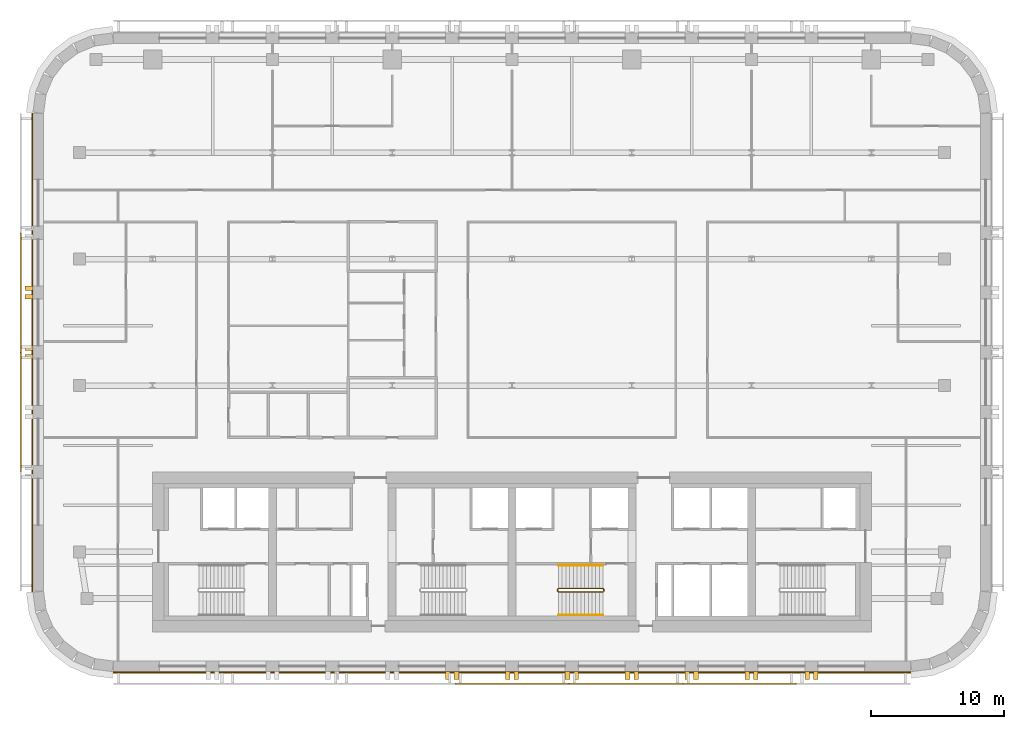
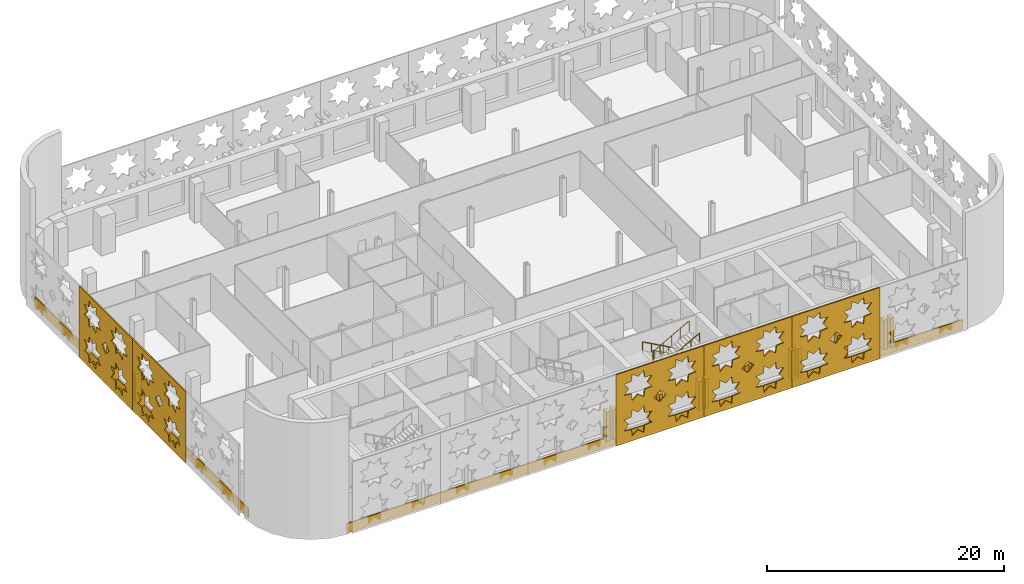
# One storey, part 11 of 14: 25 coverings, 3 railings.
"""IFC4 building model written with IfcOpenShell, lengths in metres."""

from ifc_helpers import new_model, si_unit, direction, frame, origin, origin_2d, place, context, subcontext, project, spatial, polyline, circle, outline, extrude, material, layer, layer_set, type_object, element, save


model = new_model("IFC4")

# Units and contexts
model_context = context("Model", 3, precision=1e-05, world=origin(), true_north=direction((0.0, 1.0)))
body_context = subcontext(model_context, "Body", "Model", "MODEL_VIEW")
ifc_project = project(units=[si_unit("LENGTHUNIT", "METRE"), si_unit("AREAUNIT", "SQUARE_METRE"), si_unit("VOLUMEUNIT", "CUBIC_METRE"), si_unit("PLANEANGLEUNIT", "RADIAN"), si_unit("MASSUNIT", "GRAM", prefix="KILO")], contexts=[model_context])

# Site, building, storey
site_placement = place(None, origin())
site = spatial("IfcSite", under=ifc_project, at=site_placement, CompositionType="ELEMENT")
building_placement = place(site_placement, origin())
building = spatial("IfcBuilding", under=site, at=building_placement, Name="Zellij Exchange Tower", CompositionType="ELEMENT")
storey_placement = place(building_placement, frame((0.0, 0.0, 164.5)))
storey = spatial("IfcBuildingStorey", under=building, at=storey_placement, Name="L37", CompositionType="ELEMENT", Elevation=164.5)

# Railings
ifc_material_1 = material(Name="Stainless steel", Category="steel")
railing_type_1 = type_object("IfcRailingType", Name="CORE-RG stair guard", PredefinedType="GUARDRAIL", material=ifc_material_1)
railing_1_placement = place(storey_placement, frame((6.89990234375, -10.800048828125, 0.0)))
element("IfcRailing", 1, at=railing_1_placement, inside=storey, type_object=railing_type_1, Name="ST3 stair guard L37", PredefinedType="GUARDRAIL", context=body_context, shape_type="SweptSolid", body=[
    extrude(circle(Radius=0.02392578125, at=origin_2d()), frame((0.0, 0.0, 1.076171875), z_axis=(0.0, -1.0, 0.0), x_axis=(1.0, 0.0, 0.0)), (0.0, 0.0, 1.0), 0.14990234375),
    extrude(circle(Radius=0.02392578125, at=origin_2d()), frame((0.0, -0.14990234375, 1.076171875), z_axis=(-0.193691321961, 0.777613689637, 0.598164376644), x_axis=(-0.970351222016, -0.241699205484, 0.0)), (0.0, 0.0, 1.0), 0.257080078125),
    extrude(circle(Radius=0.02392578125, at=origin_2d()), frame((-0.0498046875, 0.050048828125, 1.22998046875), z_axis=(-0.876421534553, 0.0, 0.481544695509), x_axis=(0.0, -1.0, 0.0)), (0.0, 0.0, 1.0), 3.833984375),
    extrude(circle(Radius=0.02392578125, at=origin_2d()), frame((-3.409912109375, 0.050048828125, 3.076171875), z_axis=(-0.707106781187, -0.707106781187, 0.0), x_axis=(0.707106781187, -0.707106781187, 0.0)), (0.0, 0.0, 1.0), 0.07080078125),
    extrude(circle(Radius=0.02392578125, at=origin_2d()), frame((-3.4599609375, 0.0, 3.076171875), z_axis=(0.0, -1.0, 0.0), x_axis=(1.0, 0.0, 0.0)), (0.0, 0.0, 1.0), 0.14990234375),
    extrude(circle(Radius=0.02392578125, at=origin_2d()), frame((-3.4599609375, -0.14990234375, 3.076171875), z_axis=(0.295599637079, -0.295599637079, 0.908428152975), x_axis=(0.707106781187, 0.707106781187, 0.0)), (0.0, 0.0, 1.0), 0.16943359375),
    extrude(circle(Radius=0.02392578125, at=origin_2d()), frame((-3.409912109375, -0.199951171875, 3.22998046875), z_axis=(0.876421534553, 0.0, 0.481544695509), x_axis=(0.0, 1.0, 0.0)), (0.0, 0.0, 1.0), 3.833984375),
    extrude(circle(Radius=0.02099609375, at=origin_2d()), origin(), (0.0, 0.0, 1.0), 1.052001953125),
    extrude(circle(Radius=0.02099609375, at=origin_2d()), frame((0.0, -0.14990234375, 0.0)), (0.0, 0.0, 1.0), 1.052001953125),
    extrude(circle(Radius=0.02099609375, at=origin_2d()), frame((-0.0498046875, 0.050048828125, 0.15380859375)), (0.0, 0.0, 1.0), 1.052001953125),
    extrude(circle(Radius=0.02099609375, at=origin_2d()), frame((-0.889892578125, 0.050048828125, 0.615234375)), (0.0, 0.0, 1.0), 1.052001953125),
    extrude(circle(Radius=0.02099609375, at=origin_2d()), frame((-1.72998046875, 0.050048828125, 1.076904296875)), (0.0, 0.0, 1.0), 1.052001953125),
    extrude(circle(Radius=0.02099609375, at=origin_2d()), frame((-2.56982421875, 0.050048828125, 1.53857421875)), (0.0, 0.0, 1.0), 1.052001953125),
    extrude(circle(Radius=0.02099609375, at=origin_2d()), frame((-3.409912109375, 0.050048828125, 2.0)), (0.0, 0.0, 1.0), 1.052001953125),
    extrude(circle(Radius=0.02099609375, at=origin_2d()), frame((-3.4599609375, 0.0, 2.0)), (0.0, 0.0, 1.0), 1.052001953125),
    extrude(circle(Radius=0.02099609375, at=origin_2d()), frame((-3.4599609375, -0.14990234375, 2.0)), (0.0, 0.0, 1.0), 1.052001953125),
    extrude(circle(Radius=0.02099609375, at=origin_2d()), frame((-3.409912109375, -0.199951171875, 2.15380859375)), (0.0, 0.0, 1.0), 1.052001953125),
    extrude(circle(Radius=0.02099609375, at=origin_2d()), frame((-2.56982421875, -0.199951171875, 2.615234375)), (0.0, 0.0, 1.0), 1.052001953125),
    extrude(circle(Radius=0.02099609375, at=origin_2d()), frame((-1.72998046875, -0.199951171875, 3.076904296875)), (0.0, 0.0, 1.0), 1.052001953125),
    extrude(circle(Radius=0.02099609375, at=origin_2d()), frame((-0.889892578125, -0.199951171875, 3.53857421875)), (0.0, 0.0, 1.0), 1.052001953125),
    extrude(circle(Radius=0.02099609375, at=origin_2d()), frame((-0.0498046875, -0.199951171875, 4.0)), (0.0, 0.0, 1.0), 1.052001953125),
])
railing_type_2 = type_object("IfcRailingType", Name="CORE-RH stair handrail", PredefinedType="HANDRAIL", material=ifc_material_1)
railing_2_placement = place(storey_placement, frame((6.85009765625, -9.0, 0.15380859375)))
element("IfcRailing", 2, at=railing_2_placement, inside=storey, type_object=railing_type_2, Name="ST3 stair handrail L37", PredefinedType="HANDRAIL", context=body_context, shape_type="SweptSolid", body=[
    extrude(circle(Radius=0.02392578125, at=origin_2d()), frame((0.0, 0.0, 0.8759765625), z_axis=(-0.876421534553, 0.0, 0.481544695509), x_axis=(0.0, -1.0, 0.0)), (0.0, 0.0, 1.0), 3.833984375),
    extrude(circle(Radius=0.02099609375, at=origin_2d()), origin(), (0.0, 0.0, 1.0), 0.851806640625),
    extrude(circle(Radius=0.02099609375, at=origin_2d()), frame((-0.840087890625, 0.0, 0.46142578125)), (0.0, 0.0, 1.0), 0.851806640625),
    extrude(circle(Radius=0.02099609375, at=origin_2d()), frame((-1.68017578125, 0.0, 0.923095703125)), (0.0, 0.0, 1.0), 0.851806640625),
    extrude(circle(Radius=0.02099609375, at=origin_2d()), frame((-2.52001953125, 0.0, 1.384765625)), (0.0, 0.0, 1.0), 0.851806640625),
    extrude(circle(Radius=0.02099609375, at=origin_2d()), frame((-3.360107421875, 0.0, 1.84619140625)), (0.0, 0.0, 1.0), 0.851806640625),
])
railing_3_placement = place(storey_placement, frame((3.489990234375, -12.75, 2.15380859375)))
element("IfcRailing", 3, at=railing_3_placement, inside=storey, type_object=railing_type_2, Name="ST3 stair handrail L37", PredefinedType="HANDRAIL", context=body_context, shape_type="SweptSolid", body=[
    extrude(circle(Radius=0.02392578125, at=origin_2d()), frame((0.0, 0.0, 0.8759765625), z_axis=(0.876421534553, 0.0, 0.481544695509), x_axis=(0.0, 1.0, 0.0)), (0.0, 0.0, 1.0), 3.833984375),
    extrude(circle(Radius=0.02099609375, at=origin_2d()), origin(), (0.0, 0.0, 1.0), 0.851806640625),
    extrude(circle(Radius=0.02099609375, at=origin_2d()), frame((0.840087890625, 0.0, 0.46142578125)), (0.0, 0.0, 1.0), 0.851806640625),
    extrude(circle(Radius=0.02099609375, at=origin_2d()), frame((1.68017578125, 0.0, 0.923095703125)), (0.0, 0.0, 1.0), 0.851806640625),
    extrude(circle(Radius=0.02099609375, at=origin_2d()), frame((2.52001953125, 0.0, 1.384765625)), (0.0, 0.0, 1.0), 0.851806640625),
    extrude(circle(Radius=0.02099609375, at=origin_2d()), frame((3.360107421875, 0.0, 1.84619140625)), (0.0, 0.0, 1.0), 0.851806640625),
])

# Coverings
ifc_material_2 = material(Name="Limestone cladding", Category="masonry")
covering_type_1 = type_object("IfcCoveringType", Name="ENV-CV3 Stone pier 350x600", PredefinedType="CLADDING", material=ifc_material_2)
covering_1_placement = place(storey_placement, frame((0.0, 0.0, 0.800048828125)))
element("IfcCovering", 4, at=covering_1_placement, inside=storey, type_object=covering_type_1, Name="Stone pier", PredefinedType="CLADDING", context=body_context, shape_type="SweptSolid", body=[
    extrude(outline(polyline([(-5.0, -17.0), (-4.64990234375, -17.0), (-4.64990234375, -17.60009765625), (-5.0, -17.60009765625), (-5.0, -17.0)])), origin(), (0.0, 0.0, 1.0), 3.0),
])
covering_2_placement = place(storey_placement, frame((0.0, 0.0, 0.800048828125)))
element("IfcCovering", 5, at=covering_2_placement, inside=storey, type_object=covering_type_1, Name="Stone pier", PredefinedType="CLADDING", context=body_context, shape_type="SweptSolid", body=[
    extrude(outline(polyline([(-4.35009765625, -17.0), (-4.0, -17.0), (-4.0, -17.60009765625), (-4.35009765625, -17.60009765625), (-4.35009765625, -17.0)])), origin(), (0.0, 0.0, 1.0), 3.0),
])
covering_3_placement = place(storey_placement, frame((0.0, 0.0, 0.800048828125)))
element("IfcCovering", 6, at=covering_3_placement, inside=storey, type_object=covering_type_1, Name="Stone pier", PredefinedType="CLADDING", context=body_context, shape_type="SweptSolid", body=[
    extrude(outline(polyline([(-0.5, -17.0), (-0.14990234375, -17.0), (-0.14990234375, -17.60009765625), (-0.5, -17.60009765625), (-0.5, -17.0)])), origin(), (0.0, 0.0, 1.0), 3.0),
])
covering_4_placement = place(storey_placement, frame((0.0, 0.0, 0.800048828125)))
element("IfcCovering", 7, at=covering_4_placement, inside=storey, type_object=covering_type_1, Name="Stone pier", PredefinedType="CLADDING", context=body_context, shape_type="SweptSolid", body=[
    extrude(outline(polyline([(0.14990234375, -17.0), (0.5, -17.0), (0.5, -17.60009765625), (0.14990234375, -17.60009765625), (0.14990234375, -17.0)])), origin(), (0.0, 0.0, 1.0), 3.0),
])
covering_5_placement = place(storey_placement, frame((0.0, 0.0, 0.800048828125)))
element("IfcCovering", 8, at=covering_5_placement, inside=storey, type_object=covering_type_1, Name="Stone pier", PredefinedType="CLADDING", context=body_context, shape_type="SweptSolid", body=[
    extrude(outline(polyline([(4.0, -17.0), (4.35009765625, -17.0), (4.35009765625, -17.60009765625), (4.0, -17.60009765625), (4.0, -17.0)])), origin(), (0.0, 0.0, 1.0), 3.0),
])
covering_6_placement = place(storey_placement, frame((0.0, 0.0, 0.800048828125)))
element("IfcCovering", 9, at=covering_6_placement, inside=storey, type_object=covering_type_1, Name="Stone pier", PredefinedType="CLADDING", context=body_context, shape_type="SweptSolid", body=[
    extrude(outline(polyline([(4.64990234375, -17.0), (5.0, -17.0), (5.0, -17.60009765625), (4.64990234375, -17.60009765625), (4.64990234375, -17.0)])), origin(), (0.0, 0.0, 1.0), 3.0),
])
covering_7_placement = place(storey_placement, frame((0.0, 0.0, 0.800048828125)))
element("IfcCovering", 10, at=covering_7_placement, inside=storey, type_object=covering_type_1, Name="Stone pier", PredefinedType="CLADDING", context=body_context, shape_type="SweptSolid", body=[
    extrude(outline(polyline([(8.5, -17.0), (8.85009765625, -17.0), (8.85009765625, -17.60009765625), (8.5, -17.60009765625), (8.5, -17.0)])), origin(), (0.0, 0.0, 1.0), 3.0),
])
covering_8_placement = place(storey_placement, frame((0.0, 0.0, 0.800048828125)))
element("IfcCovering", 11, at=covering_8_placement, inside=storey, type_object=covering_type_1, Name="Stone pier", PredefinedType="CLADDING", context=body_context, shape_type="SweptSolid", body=[
    extrude(outline(polyline([(9.14990234375, -17.0), (9.5, -17.0), (9.5, -17.60009765625), (9.14990234375, -17.60009765625), (9.14990234375, -17.0)])), origin(), (0.0, 0.0, 1.0), 3.0),
])
covering_9_placement = place(storey_placement, frame((0.0, 0.0, 0.800048828125)))
element("IfcCovering", 12, at=covering_9_placement, inside=storey, type_object=covering_type_1, Name="Stone pier", PredefinedType="CLADDING", context=body_context, shape_type="SweptSolid", body=[
    extrude(outline(polyline([(13.0, -17.0), (13.35009765625, -17.0), (13.35009765625, -17.60009765625), (13.0, -17.60009765625), (13.0, -17.0)])), origin(), (0.0, 0.0, 1.0), 3.0),
])
covering_10_placement = place(storey_placement, frame((0.0, 0.0, 0.800048828125)))
element("IfcCovering", 13, at=covering_10_placement, inside=storey, type_object=covering_type_1, Name="Stone pier", PredefinedType="CLADDING", context=body_context, shape_type="SweptSolid", body=[
    extrude(outline(polyline([(13.64990234375, -17.0), (14.0, -17.0), (14.0, -17.60009765625), (13.64990234375, -17.60009765625), (13.64990234375, -17.0)])), origin(), (0.0, 0.0, 1.0), 3.0),
])
covering_11_placement = place(storey_placement, frame((0.0, 0.0, 0.800048828125)))
element("IfcCovering", 14, at=covering_11_placement, inside=storey, type_object=covering_type_1, Name="Stone pier", PredefinedType="CLADDING", context=body_context, shape_type="SweptSolid", body=[
    extrude(outline(polyline([(17.5, -17.0), (17.85009765625, -17.0), (17.85009765625, -17.60009765625), (17.5, -17.60009765625), (17.5, -17.0)])), origin(), (0.0, 0.0, 1.0), 3.0),
])
covering_12_placement = place(storey_placement, frame((0.0, 0.0, 0.800048828125)))
element("IfcCovering", 15, at=covering_12_placement, inside=storey, type_object=covering_type_1, Name="Stone pier", PredefinedType="CLADDING", context=body_context, shape_type="SweptSolid", body=[
    extrude(outline(polyline([(18.14990234375, -17.0), (18.5, -17.0), (18.5, -17.60009765625), (18.14990234375, -17.60009765625), (18.14990234375, -17.0)])), origin(), (0.0, 0.0, 1.0), 3.0),
])
covering_13_placement = place(storey_placement, frame((0.0, 0.0, 0.800048828125)))
element("IfcCovering", 16, at=covering_13_placement, inside=storey, type_object=covering_type_1, Name="Stone pier", PredefinedType="CLADDING", context=body_context, shape_type="SweptSolid", body=[
    extrude(outline(polyline([(22.0, -17.0), (22.35009765625, -17.0), (22.35009765625, -17.60009765625), (22.0, -17.60009765625), (22.0, -17.0)])), origin(), (0.0, 0.0, 1.0), 3.0),
])
covering_14_placement = place(storey_placement, frame((0.0, 0.0, 0.800048828125)))
element("IfcCovering", 17, at=covering_14_placement, inside=storey, type_object=covering_type_1, Name="Stone pier", PredefinedType="CLADDING", context=body_context, shape_type="SweptSolid", body=[
    extrude(outline(polyline([(22.64990234375, -17.0), (23.0, -17.0), (23.0, -17.60009765625), (22.64990234375, -17.60009765625), (22.64990234375, -17.0)])), origin(), (0.0, 0.0, 1.0), 3.0),
])
covering_15_placement = place(storey_placement, frame((0.0, 0.0, 0.800048828125)))
element("IfcCovering", 18, at=covering_15_placement, inside=storey, type_object=covering_type_1, Name="Stone pier", PredefinedType="CLADDING", context=body_context, shape_type="SweptSolid", body=[
    extrude(outline(polyline([(-36.0, 11.993408203125), (-36.0, 11.6435546875), (-36.60009765625, 11.6435546875), (-36.60009765625, 11.993408203125), (-36.0, 11.993408203125)])), origin(), (0.0, 0.0, 1.0), 3.0),
])
covering_16_placement = place(storey_placement, frame((0.0, 0.0, 0.800048828125)))
element("IfcCovering", 19, at=covering_16_placement, inside=storey, type_object=covering_type_1, Name="Stone pier", PredefinedType="CLADDING", context=body_context, shape_type="SweptSolid", body=[
    extrude(outline(polyline([(-36.0, 11.343505859375), (-36.0, 10.993408203125), (-36.60009765625, 10.993408203125), (-36.60009765625, 11.343505859375), (-36.0, 11.343505859375)])), origin(), (0.0, 0.0, 1.0), 3.0),
])
covering_17_placement = place(storey_placement, frame((0.0, 0.0, 0.800048828125)))
element("IfcCovering", 20, at=covering_17_placement, inside=storey, type_object=covering_type_1, Name="Stone pier", PredefinedType="CLADDING", context=body_context, shape_type="SweptSolid", body=[
    extrude(outline(polyline([(-36.0, 7.5), (-36.0, 7.14990234375), (-36.60009765625, 7.14990234375), (-36.60009765625, 7.5), (-36.0, 7.5)])), origin(), (0.0, 0.0, 1.0), 3.0),
])
covering_18_placement = place(storey_placement, frame((0.0, 0.0, 0.800048828125)))
element("IfcCovering", 21, at=covering_18_placement, inside=storey, type_object=covering_type_1, Name="Stone pier", PredefinedType="CLADDING", context=body_context, shape_type="SweptSolid", body=[
    extrude(outline(polyline([(-36.0, 6.85009765625), (-36.0, 6.5), (-36.60009765625, 6.5), (-36.60009765625, 6.85009765625), (-36.0, 6.85009765625)])), origin(), (0.0, 0.0, 1.0), 3.0),
])
ifc_layer_1 = layer(ifc_material_2, 0.10009765625)
ifc_layer_set_1 = layer_set([ifc_layer_1], Name="Limestone cladding")
covering_type_2 = type_object("IfcCoveringType", Name="ENV-CV9 Stone spandrel band 100", PredefinedType="CLADDING", material=ifc_layer_set_1)
covering_19_placement = place(storey_placement, frame((0.0, 0.0, -0.199951171875)))
element("IfcCovering", 22, at=covering_19_placement, inside=storey, type_object=covering_type_2, Name="Stone spandrel band", PredefinedType="CLADDING", context=body_context, shape_type="SweptSolid", body=[
    extrude(outline(polyline([(-29.973876953125, -17.0), (29.973876953125, -17.0), (29.980224609375, -17.10009765625), (-29.980224609375, -17.10009765625), (-29.973876953125, -17.0)])), origin(), (0.0, 0.0, 1.0), 1.0),
])
covering_20_placement = place(storey_placement, frame((0.0, 0.0, -0.199951171875)))
element("IfcCovering", 23, at=covering_20_placement, inside=storey, type_object=covering_type_2, Name="Stone spandrel band", PredefinedType="CLADDING", context=body_context, shape_type="SweptSolid", body=[
    extrude(outline(polyline([(-36.0, 24.973876953125), (-36.0, -10.973876953125), (-36.10009765625, -10.980224609375), (-36.10009765625, 24.980224609375), (-36.0, 24.973876953125)])), origin(), (0.0, 0.0, 1.0), 1.0),
])
ifc_material_3 = material(Name="Limestone screen", Category="masonry")
ifc_layer_2 = layer(ifc_material_3, 0.1201171875)
ifc_layer_set_2 = layer_set([ifc_layer_2], Name="Limestone screen")
covering_type_3 = type_object("IfcCoveringType", Name="ENV-SC1 Pierced stone screen 120", PredefinedType="USERDEFINED", material=ifc_layer_set_2)
covering_21_placement = place(storey_placement, frame((-36.909912109375, 15.973876953125, 0.300048828125), z_axis=(0.0, 0.0, 1.0), x_axis=(0.0, -1.0, 0.0)))
element("IfcCovering", 24, at=covering_21_placement, inside=storey, type_object=covering_type_3, Name="Pierced stone screen", ObjectType="SCREEN", PredefinedType="USERDEFINED", context=body_context, shape_type="SweptSolid", body=[
    extrude(outline(polyline([(0.0, 0.0), (8.973876953125, 0.0), (8.973876953125, 7.35009765625), (0.0, 7.35009765625), (0.0, 0.0)]), holes=[polyline([(3.6015625, 2.39990234375), (2.887939453125, 2.48193359375), (2.805908203125, 3.195556640625), (2.243408203125, 2.748779296875), (1.680908203125, 3.195556640625), (1.59912109375, 2.48193359375), (0.88525390625, 2.39990234375), (1.33203125, 1.83740234375), (0.88525390625, 1.27490234375), (1.59912109375, 1.193115234375), (1.680908203125, 0.4794921875), (2.243408203125, 0.926025390625), (2.805908203125, 0.4794921875), (2.887939453125, 1.193115234375), (3.6015625, 1.27490234375), (3.15478515625, 1.83740234375), (3.6015625, 2.39990234375)]), polyline([(3.6015625, 6.074951171875), (2.887939453125, 6.156982421875), (2.805908203125, 6.87060546875), (2.243408203125, 6.423828125), (1.680908203125, 6.87060546875), (1.59912109375, 6.156982421875), (0.88525390625, 6.074951171875), (1.33203125, 5.512451171875), (0.88525390625, 4.949951171875), (1.59912109375, 4.867919921875), (1.680908203125, 4.154296875), (2.243408203125, 4.60107421875), (2.805908203125, 4.154296875), (2.887939453125, 4.867919921875), (3.6015625, 4.949951171875), (3.15478515625, 5.512451171875), (3.6015625, 6.074951171875)]), polyline([(8.08837890625, 2.39990234375), (7.374755859375, 2.48193359375), (7.29296875, 3.195556640625), (6.730224609375, 2.748779296875), (6.167724609375, 3.195556640625), (6.0859375, 2.48193359375), (5.372314453125, 2.39990234375), (5.81884765625, 1.83740234375), (5.372314453125, 1.27490234375), (6.0859375, 1.193115234375), (6.167724609375, 0.4794921875), (6.730224609375, 0.926025390625), (7.29296875, 0.4794921875), (7.374755859375, 1.193115234375), (8.08837890625, 1.27490234375), (7.6416015625, 1.83740234375), (8.08837890625, 2.39990234375)]), polyline([(8.08837890625, 6.074951171875), (7.374755859375, 6.156982421875), (7.29296875, 6.87060546875), (6.730224609375, 6.423828125), (6.167724609375, 6.87060546875), (6.0859375, 6.156982421875), (5.372314453125, 6.074951171875), (5.81884765625, 5.512451171875), (5.372314453125, 4.949951171875), (6.0859375, 4.867919921875), (6.167724609375, 4.154296875), (6.730224609375, 4.60107421875), (7.29296875, 4.154296875), (7.374755859375, 4.867919921875), (8.08837890625, 4.949951171875), (7.6416015625, 5.512451171875), (8.08837890625, 6.074951171875)]), polyline([(5.074951171875, 3.675048828125), (4.48681640625, 4.262939453125), (3.89892578125, 3.675048828125), (4.48681640625, 3.0869140625), (5.074951171875, 3.675048828125)])]), frame((0.0, 0.06005859375, 0.0), z_axis=(0.0, -1.0, 0.0), x_axis=(1.0, 0.0, 0.0)), (0.0, 0.0, 1.0), 0.1201171875),
])
covering_22_placement = place(storey_placement, frame((-36.909912109375, 7.0, 0.300048828125), z_axis=(0.0, 0.0, 1.0), x_axis=(0.0, -1.0, 0.0)))
element("IfcCovering", 25, at=covering_22_placement, inside=storey, type_object=covering_type_3, Name="Pierced stone screen", ObjectType="SCREEN", PredefinedType="USERDEFINED", context=body_context, shape_type="SweptSolid", body=[
    extrude(outline(polyline([(0.0, 0.0), (8.973876953125, 0.0), (8.973876953125, 7.35009765625), (0.0, 7.35009765625), (0.0, 0.0)]), holes=[polyline([(3.6015625, 2.39990234375), (2.887939453125, 2.48193359375), (2.805908203125, 3.195556640625), (2.243408203125, 2.748779296875), (1.680908203125, 3.195556640625), (1.59912109375, 2.48193359375), (0.88525390625, 2.39990234375), (1.33203125, 1.83740234375), (0.88525390625, 1.27490234375), (1.59912109375, 1.193115234375), (1.680908203125, 0.4794921875), (2.243408203125, 0.926025390625), (2.805908203125, 0.4794921875), (2.887939453125, 1.193115234375), (3.6015625, 1.27490234375), (3.15478515625, 1.83740234375), (3.6015625, 2.39990234375)]), polyline([(3.6015625, 6.074951171875), (2.887939453125, 6.156982421875), (2.805908203125, 6.87060546875), (2.243408203125, 6.423828125), (1.680908203125, 6.87060546875), (1.59912109375, 6.156982421875), (0.88525390625, 6.074951171875), (1.33203125, 5.512451171875), (0.88525390625, 4.949951171875), (1.59912109375, 4.867919921875), (1.680908203125, 4.154296875), (2.243408203125, 4.60107421875), (2.805908203125, 4.154296875), (2.887939453125, 4.867919921875), (3.6015625, 4.949951171875), (3.15478515625, 5.512451171875), (3.6015625, 6.074951171875)]), polyline([(8.08837890625, 2.39990234375), (7.374755859375, 2.48193359375), (7.29296875, 3.195556640625), (6.730224609375, 2.748779296875), (6.167724609375, 3.195556640625), (6.0859375, 2.48193359375), (5.372314453125, 2.39990234375), (5.81884765625, 1.83740234375), (5.372314453125, 1.27490234375), (6.0859375, 1.193115234375), (6.167724609375, 0.4794921875), (6.730224609375, 0.926025390625), (7.29296875, 0.4794921875), (7.374755859375, 1.193115234375), (8.08837890625, 1.27490234375), (7.6416015625, 1.83740234375), (8.08837890625, 2.39990234375)]), polyline([(8.08837890625, 6.074951171875), (7.374755859375, 6.156982421875), (7.29296875, 6.87060546875), (6.730224609375, 6.423828125), (6.167724609375, 6.87060546875), (6.0859375, 6.156982421875), (5.372314453125, 6.074951171875), (5.81884765625, 5.512451171875), (5.372314453125, 4.949951171875), (6.0859375, 4.867919921875), (6.167724609375, 4.154296875), (6.730224609375, 4.60107421875), (7.29296875, 4.154296875), (7.374755859375, 4.867919921875), (8.08837890625, 4.949951171875), (7.6416015625, 5.512451171875), (8.08837890625, 6.074951171875)]), polyline([(5.074951171875, 3.675048828125), (4.48681640625, 4.262939453125), (3.89892578125, 3.675048828125), (4.48681640625, 3.0869140625), (5.074951171875, 3.675048828125)])]), frame((0.0, 0.06005859375, 0.0), z_axis=(0.0, -1.0, 0.0), x_axis=(1.0, 0.0, 0.0)), (0.0, 0.0, 1.0), 0.1201171875),
])
covering_23_placement = place(storey_placement, frame((-4.2783203125, -17.909912109375, 0.300048828125), z_axis=(0.0, 0.0, 1.0), x_axis=(1.0, 0.0, 0.0)))
element("IfcCovering", 26, at=covering_23_placement, inside=storey, type_object=covering_type_3, Name="Pierced stone screen", ObjectType="SCREEN", PredefinedType="USERDEFINED", context=body_context, shape_type="SweptSolid", body=[
    extrude(outline(polyline([(0.0, 0.0), (8.556396484375, 0.0), (8.556396484375, 7.35009765625), (0.0, 7.35009765625), (0.0, 0.0)]), holes=[polyline([(3.497314453125, 2.39990234375), (2.78369140625, 2.48193359375), (2.70166015625, 3.195556640625), (2.13916015625, 2.748779296875), (1.57666015625, 3.195556640625), (1.49462890625, 2.48193359375), (0.781005859375, 2.39990234375), (1.227783203125, 1.83740234375), (0.781005859375, 1.27490234375), (1.49462890625, 1.193115234375), (1.57666015625, 0.4794921875), (2.13916015625, 0.926025390625), (2.70166015625, 0.4794921875), (2.78369140625, 1.193115234375), (3.497314453125, 1.27490234375), (3.050537109375, 1.83740234375), (3.497314453125, 2.39990234375)]), polyline([(3.497314453125, 6.074951171875), (2.78369140625, 6.156982421875), (2.70166015625, 6.87060546875), (2.13916015625, 6.423828125), (1.57666015625, 6.87060546875), (1.49462890625, 6.156982421875), (0.781005859375, 6.074951171875), (1.227783203125, 5.512451171875), (0.781005859375, 4.949951171875), (1.49462890625, 4.867919921875), (1.57666015625, 4.154296875), (2.13916015625, 4.60107421875), (2.70166015625, 4.154296875), (2.78369140625, 4.867919921875), (3.497314453125, 4.949951171875), (3.050537109375, 5.512451171875), (3.497314453125, 6.074951171875)]), polyline([(7.775390625, 2.39990234375), (7.061767578125, 2.48193359375), (6.97998046875, 3.195556640625), (6.417236328125, 2.748779296875), (5.854736328125, 3.195556640625), (5.77294921875, 2.48193359375), (5.05908203125, 2.39990234375), (5.505859375, 1.83740234375), (5.05908203125, 1.27490234375), (5.77294921875, 1.193115234375), (5.854736328125, 0.4794921875), (6.417236328125, 0.926025390625), (6.97998046875, 0.4794921875), (7.061767578125, 1.193115234375), (7.775390625, 1.27490234375), (7.32861328125, 1.83740234375), (7.775390625, 2.39990234375)]), polyline([(7.775390625, 6.074951171875), (7.061767578125, 6.156982421875), (6.97998046875, 6.87060546875), (6.417236328125, 6.423828125), (5.854736328125, 6.87060546875), (5.77294921875, 6.156982421875), (5.05908203125, 6.074951171875), (5.505859375, 5.512451171875), (5.05908203125, 4.949951171875), (5.77294921875, 4.867919921875), (5.854736328125, 4.154296875), (6.417236328125, 4.60107421875), (6.97998046875, 4.154296875), (7.061767578125, 4.867919921875), (7.775390625, 4.949951171875), (7.32861328125, 5.512451171875), (7.775390625, 6.074951171875)]), polyline([(4.8662109375, 3.675048828125), (4.2783203125, 4.262939453125), (3.690185546875, 3.675048828125), (4.2783203125, 3.0869140625), (4.8662109375, 3.675048828125)])]), frame((0.0, 0.06005859375, 0.0), z_axis=(0.0, -1.0, 0.0), x_axis=(1.0, 0.0, 0.0)), (0.0, 0.0, 1.0), 0.1201171875),
])
covering_24_placement = place(storey_placement, frame((4.2783203125, -17.909912109375, 0.300048828125), z_axis=(0.0, 0.0, 1.0), x_axis=(1.0, 0.0, 0.0)))
element("IfcCovering", 27, at=covering_24_placement, inside=storey, type_object=covering_type_3, Name="Pierced stone screen", ObjectType="SCREEN", PredefinedType="USERDEFINED", context=body_context, shape_type="SweptSolid", body=[
    extrude(outline(polyline([(0.0, 0.0), (8.556396484375, 0.0), (8.556396484375, 7.35009765625), (0.0, 7.35009765625), (0.0, 0.0)]), holes=[polyline([(3.497314453125, 2.39990234375), (2.78369140625, 2.48193359375), (2.70166015625, 3.195556640625), (2.13916015625, 2.748779296875), (1.57666015625, 3.195556640625), (1.49462890625, 2.48193359375), (0.781005859375, 2.39990234375), (1.227783203125, 1.83740234375), (0.781005859375, 1.27490234375), (1.49462890625, 1.193115234375), (1.57666015625, 0.4794921875), (2.13916015625, 0.926025390625), (2.70166015625, 0.4794921875), (2.78369140625, 1.193115234375), (3.497314453125, 1.27490234375), (3.050537109375, 1.83740234375), (3.497314453125, 2.39990234375)]), polyline([(3.497314453125, 6.074951171875), (2.78369140625, 6.156982421875), (2.70166015625, 6.87060546875), (2.13916015625, 6.423828125), (1.57666015625, 6.87060546875), (1.49462890625, 6.156982421875), (0.781005859375, 6.074951171875), (1.227783203125, 5.512451171875), (0.781005859375, 4.949951171875), (1.49462890625, 4.867919921875), (1.57666015625, 4.154296875), (2.13916015625, 4.60107421875), (2.70166015625, 4.154296875), (2.78369140625, 4.867919921875), (3.497314453125, 4.949951171875), (3.050537109375, 5.512451171875), (3.497314453125, 6.074951171875)]), polyline([(7.775390625, 2.39990234375), (7.061767578125, 2.48193359375), (6.97998046875, 3.195556640625), (6.417236328125, 2.748779296875), (5.854736328125, 3.195556640625), (5.77294921875, 2.48193359375), (5.05908203125, 2.39990234375), (5.505859375, 1.83740234375), (5.05908203125, 1.27490234375), (5.77294921875, 1.193115234375), (5.854736328125, 0.4794921875), (6.417236328125, 0.926025390625), (6.97998046875, 0.4794921875), (7.061767578125, 1.193115234375), (7.775390625, 1.27490234375), (7.32861328125, 1.83740234375), (7.775390625, 2.39990234375)]), polyline([(7.775390625, 6.074951171875), (7.061767578125, 6.156982421875), (6.97998046875, 6.87060546875), (6.417236328125, 6.423828125), (5.854736328125, 6.87060546875), (5.77294921875, 6.156982421875), (5.05908203125, 6.074951171875), (5.505859375, 5.512451171875), (5.05908203125, 4.949951171875), (5.77294921875, 4.867919921875), (5.854736328125, 4.154296875), (6.417236328125, 4.60107421875), (6.97998046875, 4.154296875), (7.061767578125, 4.867919921875), (7.775390625, 4.949951171875), (7.32861328125, 5.512451171875), (7.775390625, 6.074951171875)]), polyline([(4.8662109375, 3.675048828125), (4.2783203125, 4.262939453125), (3.690185546875, 3.675048828125), (4.2783203125, 3.0869140625), (4.8662109375, 3.675048828125)])]), frame((0.0, 0.06005859375, 0.0), z_axis=(0.0, -1.0, 0.0), x_axis=(1.0, 0.0, 0.0)), (0.0, 0.0, 1.0), 0.1201171875),
])
covering_25_placement = place(storey_placement, frame((12.834716796875, -17.909912109375, 0.300048828125), z_axis=(0.0, 0.0, 1.0), x_axis=(1.0, 0.0, 0.0)))
element("IfcCovering", 28, at=covering_25_placement, inside=storey, type_object=covering_type_3, Name="Pierced stone screen", ObjectType="SCREEN", PredefinedType="USERDEFINED", context=body_context, shape_type="SweptSolid", body=[
    extrude(outline(polyline([(0.0, 0.0), (8.556396484375, 0.0), (8.556396484375, 7.35009765625), (0.0, 7.35009765625), (0.0, 0.0)]), holes=[polyline([(3.497314453125, 2.39990234375), (2.78369140625, 2.48193359375), (2.70166015625, 3.195556640625), (2.13916015625, 2.748779296875), (1.57666015625, 3.195556640625), (1.49462890625, 2.48193359375), (0.781005859375, 2.39990234375), (1.227783203125, 1.83740234375), (0.781005859375, 1.27490234375), (1.49462890625, 1.193115234375), (1.57666015625, 0.4794921875), (2.13916015625, 0.926025390625), (2.70166015625, 0.4794921875), (2.78369140625, 1.193115234375), (3.497314453125, 1.27490234375), (3.050537109375, 1.83740234375), (3.497314453125, 2.39990234375)]), polyline([(3.497314453125, 6.074951171875), (2.78369140625, 6.156982421875), (2.70166015625, 6.87060546875), (2.13916015625, 6.423828125), (1.57666015625, 6.87060546875), (1.49462890625, 6.156982421875), (0.781005859375, 6.074951171875), (1.227783203125, 5.512451171875), (0.781005859375, 4.949951171875), (1.49462890625, 4.867919921875), (1.57666015625, 4.154296875), (2.13916015625, 4.60107421875), (2.70166015625, 4.154296875), (2.78369140625, 4.867919921875), (3.497314453125, 4.949951171875), (3.050537109375, 5.512451171875), (3.497314453125, 6.074951171875)]), polyline([(7.775390625, 2.39990234375), (7.061767578125, 2.48193359375), (6.97998046875, 3.195556640625), (6.417236328125, 2.748779296875), (5.854736328125, 3.195556640625), (5.77294921875, 2.48193359375), (5.05908203125, 2.39990234375), (5.505859375, 1.83740234375), (5.05908203125, 1.27490234375), (5.77294921875, 1.193115234375), (5.854736328125, 0.4794921875), (6.417236328125, 0.926025390625), (6.97998046875, 0.4794921875), (7.061767578125, 1.193115234375), (7.775390625, 1.27490234375), (7.32861328125, 1.83740234375), (7.775390625, 2.39990234375)]), polyline([(7.775390625, 6.074951171875), (7.061767578125, 6.156982421875), (6.97998046875, 6.87060546875), (6.417236328125, 6.423828125), (5.854736328125, 6.87060546875), (5.77294921875, 6.156982421875), (5.05908203125, 6.074951171875), (5.505859375, 5.512451171875), (5.05908203125, 4.949951171875), (5.77294921875, 4.867919921875), (5.854736328125, 4.154296875), (6.417236328125, 4.60107421875), (6.97998046875, 4.154296875), (7.061767578125, 4.867919921875), (7.775390625, 4.949951171875), (7.32861328125, 5.512451171875), (7.775390625, 6.074951171875)]), polyline([(4.8662109375, 3.675048828125), (4.2783203125, 4.262939453125), (3.690185546875, 3.675048828125), (4.2783203125, 3.0869140625), (4.8662109375, 3.675048828125)])]), frame((0.0, 0.06005859375, 0.0), z_axis=(0.0, -1.0, 0.0), x_axis=(1.0, 0.0, 0.0)), (0.0, 0.0, 1.0), 0.1201171875),
])

save(model, "model.ifc")
